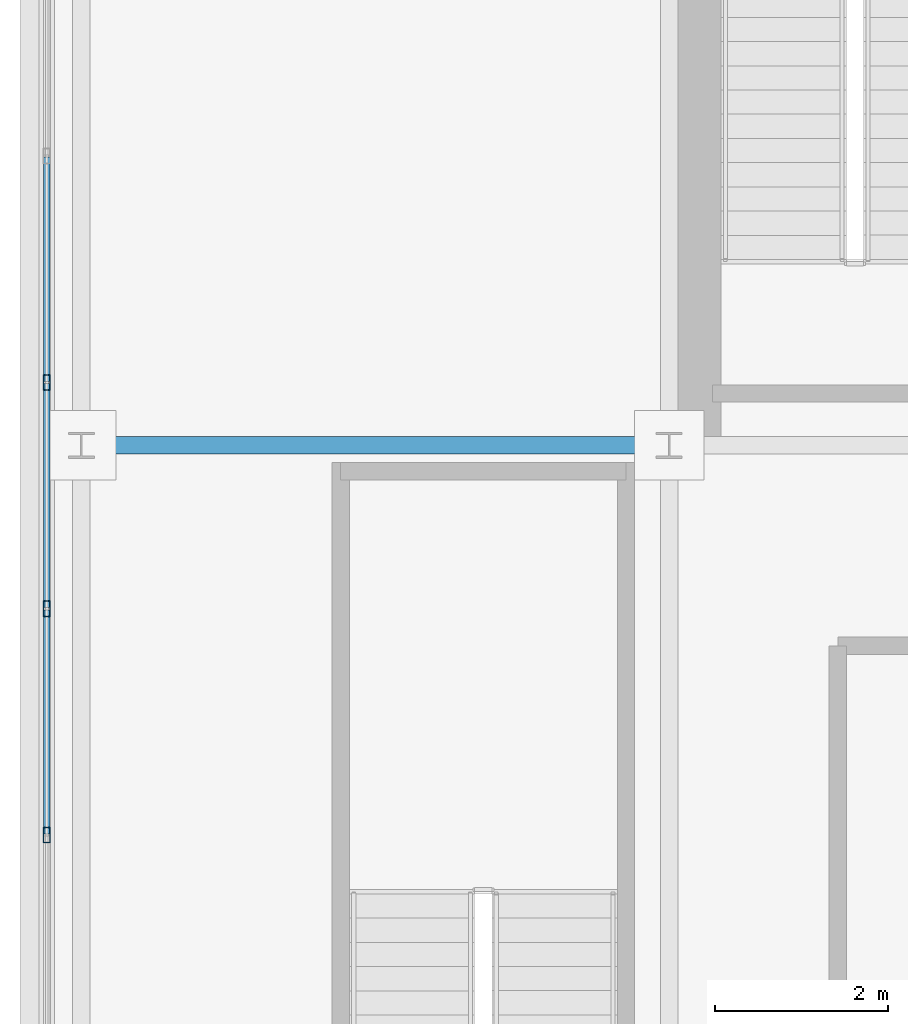
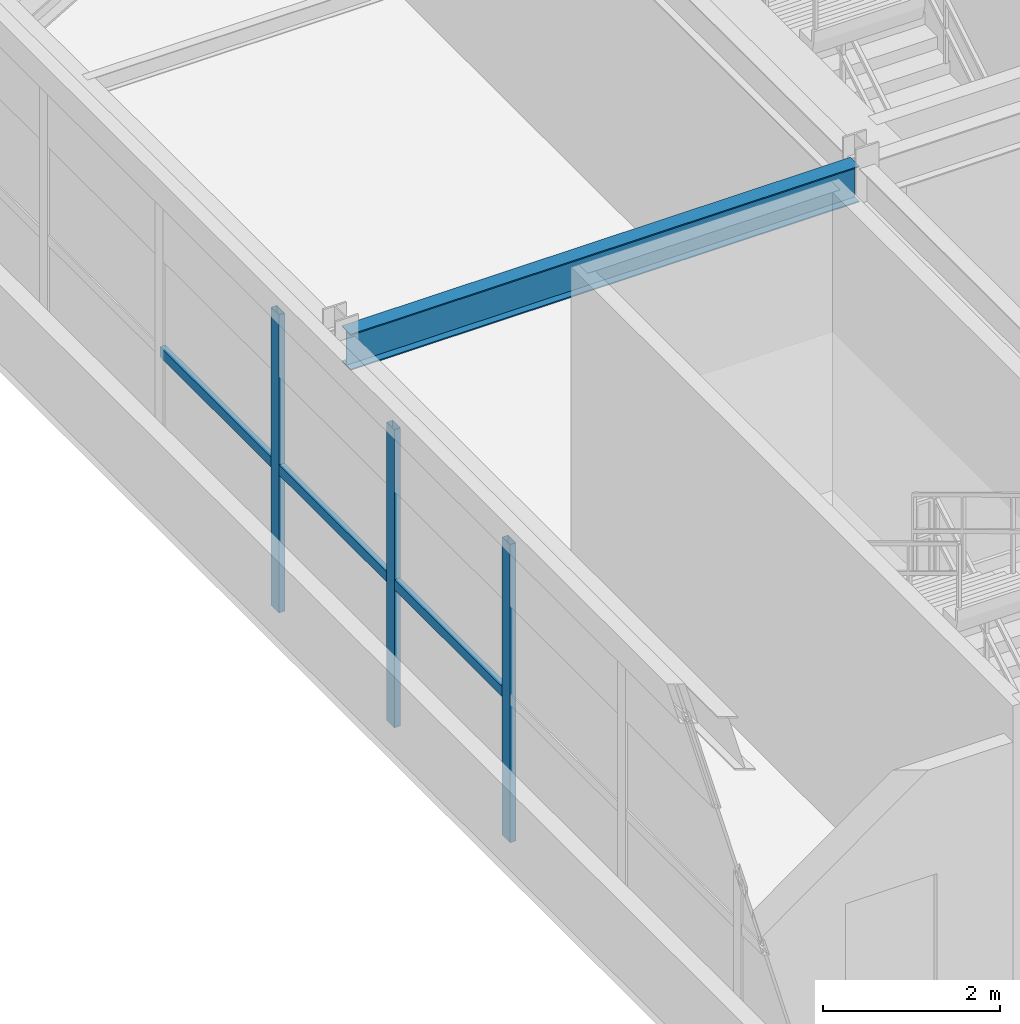
# One storey, part 10 of 38: 6 members, 1 beam, 1 element without a shape of its own.
"""IFC4 building model written with IfcOpenShell, lengths in metres."""

import ifcopenshell
import ifcopenshell.guid

model = None  # the IFC model being written
_history = None  # IfcOwnerHistory: only IFC2X3 demands one
_inside = {}  # id of a spatial element -> (the spatial element, [elements in it])
_under = {}  # id of a project, library or spatial element -> (it, [spatial elements below it])
_declared = {}  # id of a project -> (the project, [libraries it declares])
_typed = {}  # id of a type object -> (the type object, [elements of that type])
_made_of = {}  # id of a material, layer set ... -> (it, [elements and type objects made of it])


def new_model(schema):
    """Start an empty IFC model of exactly this schema.

    Asked for "IFC4X3", IfcOpenShell would pick the latest addendum, in which some entities
    have other attributes; the version numbers below select the first issue.
    IFC2X3 requires an IfcOwnerHistory on every rooted entity: one is made here for all.
    """
    global model, _history
    if schema == "IFC4X3":
        model = ifcopenshell.file(schema_version=(4, 3, 0, 0))
    else:
        model = ifcopenshell.file(schema=schema)
    _inside.clear()
    _under.clear()
    _declared.clear()
    _typed.clear()
    _made_of.clear()
    _history = None
    if model.schema == "IFC2X3":
        org = make("IfcOrganization", Name="unknown")
        user = make(
            "IfcPersonAndOrganization",
            ThePerson=make("IfcPerson", FamilyName="unknown"),
            TheOrganization=org,
        )
        app = make(
            "IfcApplication",
            ApplicationDeveloper=org,
            Version="unknown",
            ApplicationFullName="unknown",
            ApplicationIdentifier="unknown",
        )
        _history = make(
            "IfcOwnerHistory",
            OwningUser=user,
            OwningApplication=app,
            ChangeAction="ADDED",
            CreationDate=0,
        )
    return model


def make(cls, **values):
    """One entity of the class cls with the attributes given. An attribute that is None is left unset."""
    return model.create_entity(
        cls, **{name: value for name, value in values.items() if value is not None}
    )


def rooted(cls, **values):
    """An entity with a GlobalId (a new one), such as an element, a storey or a relation."""
    return make(cls, GlobalId=ifcopenshell.guid.new(), OwnerHistory=_history, **values)


def si_unit(unit_type, name, prefix=None):
    """IfcSIUnit, for example si_unit("LENGTHUNIT", "METRE", prefix="MILLI")."""
    return make("IfcSIUnit", UnitType=unit_type, Prefix=prefix, Name=name)


def assignment(units):
    """IfcUnitAssignment: the units of a project."""
    return None if units is None else make("IfcUnitAssignment", Units=units)


def point(xyz):
    """IfcCartesianPoint."""
    return None if xyz is None else make("IfcCartesianPoint", Coordinates=xyz)


def direction(xyz):
    """IfcDirection."""
    return None if xyz is None else make("IfcDirection", DirectionRatios=xyz)


def frame(location, z_axis=None, x_axis=None):
    """IfcAxis2Placement3D, a coordinate frame: its origin and axes. An axis left out is left unset."""
    return make(
        "IfcAxis2Placement3D",
        Location=point(location),
        Axis=direction(z_axis),
        RefDirection=direction(x_axis),
    )


def frame_2d(location, x_axis=None):
    """IfcAxis2Placement2D, a coordinate frame in the plane: its origin and x axis."""
    return make(
        "IfcAxis2Placement2D", Location=point(location), RefDirection=direction(x_axis)
    )


def origin():
    """The frame at (0, 0, 0) with its axes left unset."""
    return frame((0.0, 0.0, 0.0))


def origin_2d():
    """The frame at (0, 0) in the plane with its x axis left unset."""
    return frame_2d((0.0, 0.0))


def place(relative_to, where):
    """IfcLocalPlacement: puts the frame where relative to a parent placement (None: the world)."""
    return make(
        "IfcLocalPlacement", PlacementRelTo=relative_to, RelativePlacement=where
    )


def context(
    kind, dimensions, precision=None, world=None, true_north=None, identifier=None
):
    """IfcGeometricRepresentationContext, for example the 3D "Model" context."""
    return make(
        "IfcGeometricRepresentationContext",
        ContextIdentifier=identifier,
        ContextType=kind,
        CoordinateSpaceDimension=dimensions,
        Precision=precision,
        WorldCoordinateSystem=world,
        TrueNorth=true_north,
    )


def subcontext(parent, identifier, kind, view, scale=None):
    """IfcGeometricRepresentationSubContext, for example "Body" below "Model"."""
    return make(
        "IfcGeometricRepresentationSubContext",
        ContextIdentifier=identifier,
        ContextType=kind,
        ParentContext=parent,
        TargetScale=scale,
        TargetView=view,
    )


def project(units=None, contexts=None):
    """IfcProject with its units and contexts."""
    return rooted(
        "IfcProject",
        Name="project",
        RepresentationContexts=contexts,
        UnitsInContext=assignment(units),
    )


def spatial(cls, under=None, at=None, **own):
    """A site, building, storey or space (cls), placed at a placement, below another one or the project."""
    s = rooted(cls, ObjectPlacement=at, **own)
    if under is not None:
        _under.setdefault(under.id(), (under, []))[1].append(s)
    return s


def profile(cls, at=None, kind="AREA", **sizes):
    """A parametric profile (cls). Its sizes go by their IFC names, for example OverallWidth=200.0."""
    return make(cls, ProfileType=kind, Position=at, **sizes)


def hollow_rectangle(**sizes):
    """IfcRectangleHollowProfileDef."""
    return profile("IfcRectangleHollowProfileDef", **sizes)


def i_section(**sizes):
    """IfcIShapeProfileDef."""
    return profile("IfcIShapeProfileDef", **sizes)


def extrude(swept, where, along, depth):
    """IfcExtrudedAreaSolid: the profile swept, set in the frame where, extruded along a direction by depth."""
    return make(
        "IfcExtrudedAreaSolid",
        SweptArea=swept,
        Position=where,
        ExtrudedDirection=direction(along),
        Depth=depth,
    )


def shape(context_of_items, identifier, shape_type, items):
    """IfcShapeRepresentation: the items that make up one representation, for example the "Body"."""
    return make(
        "IfcShapeRepresentation",
        ContextOfItems=context_of_items,
        RepresentationIdentifier=identifier,
        RepresentationType=shape_type,
        Items=items,
    )


def source(mapping_origin, context_of_items, identifier, shape_type, items):
    """IfcRepresentationMap: a shape defined once, which mapped items show again and again."""
    return make(
        "IfcRepresentationMap",
        MappingOrigin=mapping_origin,
        MappedRepresentation=shape(context_of_items, identifier, shape_type, items),
    )


def transform(
    local_origin,
    x_axis=None,
    y_axis=None,
    z_axis=None,
    scale=None,
    scale2=None,
    scale3=None,
    uniform=True,
):
    """IfcCartesianTransformationOperator3D, or its non-uniform kind. x_axis, y_axis, z_axis: its Axis1, 2, 3."""
    if uniform:
        return make(
            "IfcCartesianTransformationOperator3D",
            Axis1=direction(x_axis),
            Axis2=direction(y_axis),
            LocalOrigin=point(local_origin),
            Scale=scale,
            Axis3=direction(z_axis),
        )
    return make(
        "IfcCartesianTransformationOperator3DnonUniform",
        Axis1=direction(x_axis),
        Axis2=direction(y_axis),
        LocalOrigin=point(local_origin),
        Scale=scale,
        Axis3=direction(z_axis),
        Scale2=scale2,
        Scale3=scale3,
    )


def mapped(mapping_source, mapping_target):
    """IfcMappedItem: shows the shape of a source again, moved by a transform."""
    return make(
        "IfcMappedItem", MappingSource=mapping_source, MappingTarget=mapping_target
    )


def material(Name=None, Category=None):
    """IfcMaterial."""
    return make("IfcMaterial", Name=Name, Category=Category)


def material_profile(
    of_material, cross_section, Name=None, Category=None, Priority=None
):
    """IfcMaterialProfile: a cross section and its material."""
    return make(
        "IfcMaterialProfile",
        Name=Name,
        Material=of_material,
        Profile=cross_section,
        Priority=Priority,
        Category=Category,
    )


def profile_set(profiles, Name=None, composite=None):
    """IfcMaterialProfileSet."""
    return make(
        "IfcMaterialProfileSet",
        Name=Name,
        MaterialProfiles=profiles,
        CompositeProfile=composite,
    )


def made_of(thing, what):
    """Note that an element or type object is made of a material, layer set ...; save() writes the relation."""
    if what is not None:
        _made_of.setdefault(what.id(), (what, []))[1].append(thing)
    return thing


def type_object(cls, material=None, **own):
    """A type object (cls), such as IfcWallType, which elements share."""
    return made_of(rooted(cls, **own), material)


def element(
    cls,
    number,
    at=None,
    inside=None,
    cuts=None,
    type_object=None,
    material=None,
    context=None,
    identifier="Body",
    shape_type=None,
    held_by="IfcProductDefinitionShape",
    body=None,
    shapes=None,
    **own,
):
    """One element of the class cls, such as IfcWall. Its Tag is "e" and its number.

    at: its placement. inside: the storey or other place that contains it. cuts: it is an
    opening in that element (IfcRelVoidsElement). A single representation is given by context,
    identifier, shape_type and body (its items); several are given by shapes. held_by: the class
    of the entity that holds the representations. save() writes the other relations.
    """
    e = rooted(cls, Tag="e%d" % number, ObjectPlacement=at, **own)
    if body is not None:
        shapes = [shape(context, identifier, shape_type, body)]
    if shapes is not None:
        e.Representation = make(held_by, Representations=shapes)
    if inside is not None:
        _inside.setdefault(inside.id(), (inside, []))[1].append(e)
    if cuts is not None:
        rooted(
            "IfcRelVoidsElement", RelatingBuildingElement=cuts, RelatedOpeningElement=e
        )
    if type_object is not None:
        _typed.setdefault(type_object.id(), (type_object, []))[1].append(e)
    return made_of(e, material)


def aggregate(whole, parts):
    """IfcRelAggregates: a whole, such as a stair, and the parts it consists of."""
    return rooted("IfcRelAggregates", RelatingObject=whole, RelatedObjects=parts)


def save(model, path):
    """Write the relations noted so far, then the file.

    IfcRelAggregates (storeys below a building ...), IfcRelContainedInSpatialStructure (elements
    in a storey), IfcRelDefinesByType, IfcRelAssociatesMaterial and IfcRelDeclares: one each for
    every whole, place, type object, material and project.
    """
    for whole, parts in _under.values():
        aggregate(whole, parts)
    for where, things in _inside.values():
        rooted(
            "IfcRelContainedInSpatialStructure",
            RelatedElements=things,
            RelatingStructure=where,
        )
    for kind, things in _typed.values():
        rooted("IfcRelDefinesByType", RelatedObjects=things, RelatingType=kind)
    for what, things in _made_of.values():
        rooted("IfcRelAssociatesMaterial", RelatedObjects=things, RelatingMaterial=what)
    for by, libraries in _declared.values():
        rooted("IfcRelDeclares", RelatingContext=by, RelatedDefinitions=libraries)
    model.write(path)


model = new_model("IFC4")

# Units and contexts
model_context = context("Model", 3, precision=1e-05, world=origin(), true_north=direction((0.0, 1.0)))
body_context = subcontext(model_context, "Body", "Model", "MODEL_VIEW")
ifc_project = project(units=[si_unit("LENGTHUNIT", "METRE"), si_unit("AREAUNIT", "SQUARE_METRE"), si_unit("VOLUMEUNIT", "CUBIC_METRE"), si_unit("PLANEANGLEUNIT", "RADIAN"), si_unit("MASSUNIT", "GRAM", prefix="KILO")], contexts=[model_context])

# Site, building, storey
site_placement = place(None, origin())
site = spatial("IfcSite", under=ifc_project, at=site_placement, CompositionType="ELEMENT")
building_placement = place(site_placement, origin())
building = spatial("IfcBuilding", under=site, at=building_placement, Name="Trelvane Seafront Commons", CompositionType="ELEMENT")
storey_placement = place(building_placement, frame((0.0, 0.0, 299.10009765625)))
storey = spatial("IfcBuildingStorey", under=building, at=storey_placement, Name="L78", CompositionType="ELEMENT", Elevation=299.10009765625)

# Beam
ifc_material_1 = material(Name="Steel SM355 (S355)", Category="steel")
ifc_material_profile_1 = material_profile(ifc_material_1, i_section(OverallWidth=0.199951171875, OverallDepth=0.5, WebThickness=0.010009765625, FlangeThickness=0.01611328125, at=origin_2d()), Name="H-500x200x10x16")
ifc_profile_set_1 = profile_set([ifc_material_profile_1], Name="Steel SM355 (S355)")
beam_type = type_object("IfcBeamType", Name="STR-CROWN-FRAME-RING", PredefinedType="SPANDREL", material=ifc_profile_set_1)
shared_shape_1 = source(origin(), body_context, "Body", "SweptSolid", [
    extrude(i_section(OverallWidth=0.199951171875, OverallDepth=0.5, WebThickness=0.010009765625, FlangeThickness=0.01611328125, at=origin_2d()), origin(), (0.0, 0.0, 1.0), 6.64990234375),
])
beam_placement = place(storey_placement, frame((8.875, 33.39990234375, 3.869873046875), z_axis=(1.0, 0.0, 0.0), x_axis=(0.0, 1.0, 0.0)))
element("IfcBeam", 1, at=beam_placement, inside=storey, type_object=beam_type, Name="L78 CROWN FRAME Ring Beam G-08", PredefinedType="SPANDREL", context=body_context, shape_type="MappedRepresentation", body=[
    mapped(shared_shape_1, transform((0.0, 0.0, 0.0), x_axis=(1.0, 0.0, 0.0), y_axis=(0.0, 1.0, 0.0), z_axis=(0.0, 0.0, 1.0), scale=1.0)),
])

# Curtain wall, members
ifc_material_2 = material(Name="Anodised pale-silver aluminium", Category="aluminium")
curtain_wall_type = type_object("IfcCurtainWallType", Name="ARCH-CW6-CROWN", PredefinedType="NOTDEFINED", material=ifc_material_2)
curtain_wall_placement = place(storey_placement, origin())
curtain_wall = element("IfcCurtainWall", 2, at=curtain_wall_placement, inside=storey, type_object=curtain_wall_type, Name="CW-L78-0124", PredefinedType="NOTDEFINED")
ifc_material_profile_2 = material_profile(ifc_material_2, hollow_rectangle(XDim=0.080078125, YDim=0.179931640625, WallThickness=0.00439453125, at=origin_2d()), Name="MULL-80x180x4.5")
ifc_profile_set_2 = profile_set([ifc_material_profile_2], Name="Anodised pale-silver aluminium")
member_type_1 = type_object("IfcMemberType", Name="ARCH-CW-MULL-180", PredefinedType="MULLION", material=ifc_profile_set_2)
shared_shape_2 = source(origin(), body_context, "Body", "SweptSolid", [
    extrude(hollow_rectangle(XDim=0.080078125, YDim=0.179931640625, WallThickness=0.00439453125, at=origin_2d()), origin(), (0.0, 0.0, 1.0), 4.119873046875),
])
member_1_placement = place(storey_placement, frame((8.39990234375, 28.890869140625, 0.0), z_axis=(0.0, 0.0, 1.0), x_axis=(1.0, 0.0, 0.0)))
member_1 = element("IfcMember", 3, at=member_1_placement, type_object=member_type_1, Name="CW-L78-0124-M05", PredefinedType="MULLION", context=body_context, shape_type="MappedRepresentation", body=[
    mapped(shared_shape_2, transform((0.0, 0.0, 0.0), x_axis=(1.0, 0.0, 0.0), y_axis=(0.0, 1.0, 0.0), z_axis=(0.0, 0.0, 1.0), scale=1.0)),
])
member_2_placement = place(storey_placement, frame((8.39990234375, 31.509033203125, 0.0), z_axis=(0.0, 0.0, 1.0), x_axis=(1.0, 0.0, 0.0)))
member_2 = element("IfcMember", 4, at=member_2_placement, type_object=member_type_1, Name="CW-L78-0124-M06", PredefinedType="MULLION", context=body_context, shape_type="MappedRepresentation", body=[
    mapped(shared_shape_2, transform((0.0, 0.0, 0.0), x_axis=(1.0, 0.0, 0.0), y_axis=(0.0, 1.0, 0.0), z_axis=(0.0, 0.0, 1.0), scale=1.0)),
])
member_3_placement = place(storey_placement, frame((8.39990234375, 34.127197265625, 0.0), z_axis=(0.0, 0.0, 1.0), x_axis=(1.0, 0.0, 0.0)))
member_3 = element("IfcMember", 5, at=member_3_placement, type_object=member_type_1, Name="CW-L78-0124-M07", PredefinedType="MULLION", context=body_context, shape_type="MappedRepresentation", body=[
    mapped(shared_shape_2, transform((0.0, 0.0, 0.0), x_axis=(1.0, 0.0, 0.0), y_axis=(0.0, 1.0, 0.0), z_axis=(0.0, 0.0, 1.0), scale=1.0)),
])
ifc_material_profile_3 = material_profile(ifc_material_2, hollow_rectangle(XDim=0.074951171875, YDim=0.139892578125, WallThickness=0.00390625, at=origin_2d()), Name="TRAN-75x140x4")
ifc_profile_set_3 = profile_set([ifc_material_profile_3], Name="Anodised pale-silver aluminium")
member_type_2 = type_object("IfcMemberType", Name="ARCH-CW-TRAN-140", PredefinedType="USERDEFINED", material=ifc_profile_set_3)
shared_shape_3 = source(origin(), body_context, "Body", "SweptSolid", [
    extrude(hollow_rectangle(XDim=0.074951171875, YDim=0.139892578125, WallThickness=0.00390625, at=origin_2d()), origin(), (0.0, 0.0, 1.0), 2.59423828125),
])
member_4_placement = place(storey_placement, frame((8.39990234375, 28.90283203125, 1.977783203125), z_axis=(0.0, 1.0, 0.0), x_axis=(-1.0, 0.0, 0.0)))
member_4 = element("IfcMember", 6, at=member_4_placement, type_object=member_type_2, Name="CW-L78-0124-T05", ObjectType="TRANSOM", PredefinedType="USERDEFINED", context=body_context, shape_type="MappedRepresentation", body=[
    mapped(shared_shape_3, transform((0.0, 0.0, 0.0), x_axis=(1.0, 0.0, 0.0), y_axis=(0.0, 1.0, 0.0), z_axis=(0.0, 0.0, 1.0), scale=1.0)),
])
member_5_placement = place(storey_placement, frame((8.39990234375, 31.52099609375, 1.977783203125), z_axis=(0.0, 1.0, 0.0), x_axis=(-1.0, 0.0, 0.0)))
member_5 = element("IfcMember", 7, at=member_5_placement, type_object=member_type_2, Name="CW-L78-0124-T06", ObjectType="TRANSOM", PredefinedType="USERDEFINED", context=body_context, shape_type="MappedRepresentation", body=[
    mapped(shared_shape_3, transform((0.0, 0.0, 0.0), x_axis=(1.0, 0.0, 0.0), y_axis=(0.0, 1.0, 0.0), z_axis=(0.0, 0.0, 1.0), scale=1.0)),
])
shared_shape_4 = source(origin(), body_context, "Body", "SweptSolid", [
    extrude(hollow_rectangle(XDim=0.074951171875, YDim=0.139892578125, WallThickness=0.00390625, at=origin_2d()), origin(), (0.0, 0.0, 1.0), 2.593994140625),
])
member_6_placement = place(storey_placement, frame((8.39990234375, 34.139404296875, 1.977783203125), z_axis=(0.0, 1.0, 0.0), x_axis=(-1.0, 0.0, 0.0)))
member_6 = element("IfcMember", 8, at=member_6_placement, type_object=member_type_2, Name="CW-L78-0124-T07", ObjectType="TRANSOM", PredefinedType="USERDEFINED", context=body_context, shape_type="MappedRepresentation", body=[
    mapped(shared_shape_4, transform((0.0, 0.0, 0.0), x_axis=(1.0, 0.0, 0.0), y_axis=(0.0, 1.0, 0.0), z_axis=(0.0, 0.0, 1.0), scale=1.0)),
])
aggregate(curtain_wall, [member_1, member_2, member_3, member_4, member_5, member_6])

save(model, "model.ifc")
